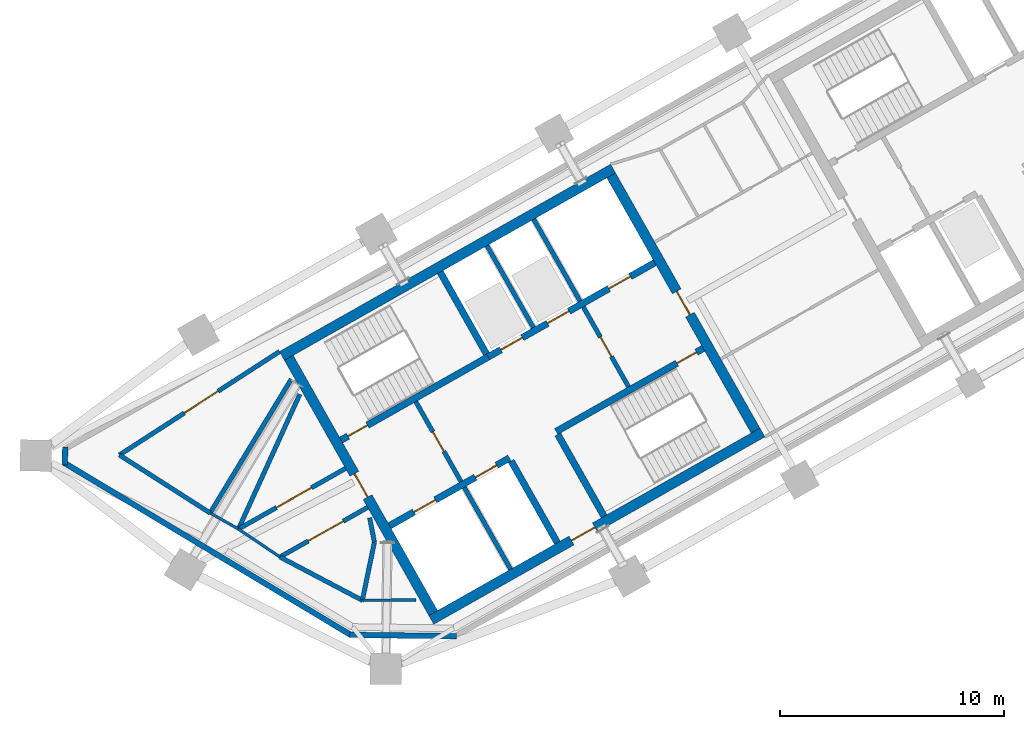
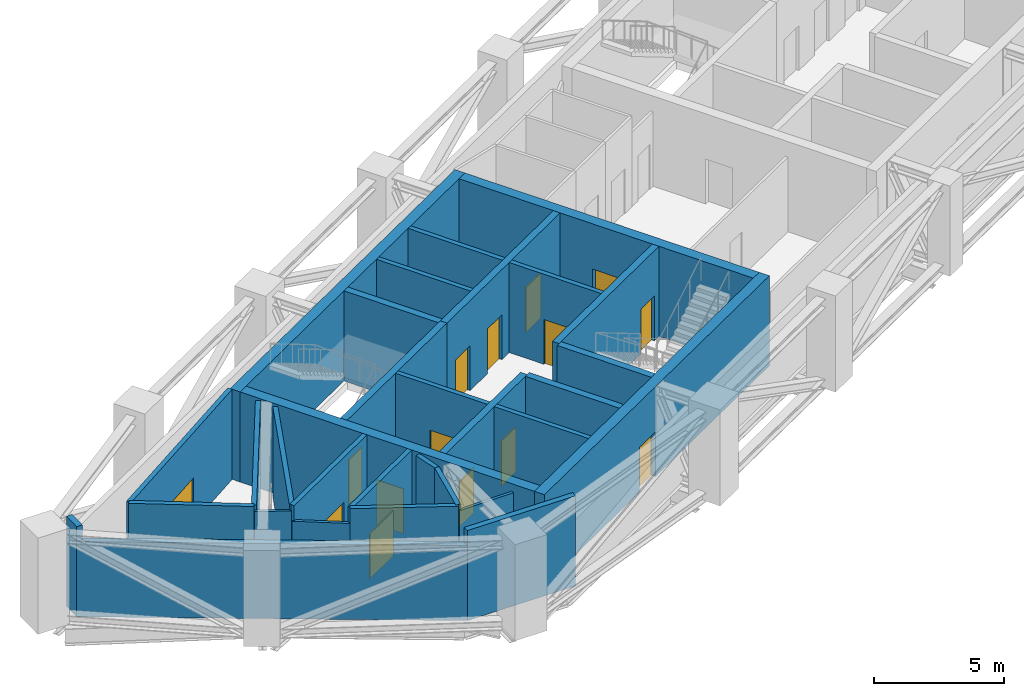
# One storey, part 8 of 13: 31 walls, 15 doors, 15 openings.
"""IFC4 building model written with IfcOpenShell, lengths in metres."""

from ifc_helpers import new_model, si_unit, direction, frame, frame_2d, origin, place, context, subcontext, project, spatial, rectangle, extrude, material, layer, layer_set, type_object, element, fill, save


model = new_model("IFC4")

# Units and contexts
model_context = context("Model", 3, precision=1e-05, world=origin(), true_north=direction((0.0, 1.0)))
body_context = subcontext(model_context, "Body", "Model", "MODEL_VIEW")
ifc_project = project(units=[si_unit("LENGTHUNIT", "METRE"), si_unit("AREAUNIT", "SQUARE_METRE"), si_unit("VOLUMEUNIT", "CUBIC_METRE"), si_unit("PLANEANGLEUNIT", "RADIAN"), si_unit("MASSUNIT", "GRAM", prefix="KILO")], contexts=[model_context])

# Site, building, storey
site_placement = place(None, origin())
site = spatial("IfcSite", under=ifc_project, at=site_placement, CompositionType="ELEMENT")
building_placement = place(site_placement, origin())
building = spatial("IfcBuilding", under=site, at=building_placement, Name="Binnacle Exchange Tower", CompositionType="ELEMENT")
storey_placement = place(building_placement, frame((0.0, 0.0, 258.199951171875)))
storey = spatial("IfcBuildingStorey", under=building, at=storey_placement, Name="L57", CompositionType="ELEMENT", Elevation=258.199951171875)

# Wall, openings, doors
ifc_material_1 = material(Name="Concrete C70/85", Category="concrete")
ifc_layer_1 = layer(ifc_material_1, 0.300048828125)
ifc_layer_set_1 = layer_set([ifc_layer_1], Name="Core wall - front 300")
wall_type_1 = type_object("IfcWallType", Name="Core wall - front 300", PredefinedType="SOLIDWALL", material=ifc_layer_set_1)
wall_1_placement = place(storey_placement, frame((-41.6865234375, 33.88720703125, 0.0), z_axis=(0.0, 0.0, 1.0), x_axis=(0.870355736587, 0.49242348826, 0.0)))
wall_1 = element("IfcWall", 1, at=wall_1_placement, inside=storey, type_object=wall_type_1, Name="Core wall CRWA2", PredefinedType="SOLIDWALL", context=body_context, shape_type="SweptSolid", body=[
    extrude(rectangle(XDim=6.14990234375, YDim=0.300048828125, at=frame_2d((3.074951171875, 0.0))), origin(), (0.0, 0.0, 1.0), 4.219970703125),
])
opening_1_placement = place(wall_1_placement, frame((1.25, 0.0, 0.0)))
opening_1 = element("IfcOpeningElement", 2, at=opening_1_placement, cuts=wall_1, Name="Opening LD12", PredefinedType="OPENING", context=body_context, shape_type="SweptSolid", body=[
    extrude(rectangle(XDim=1.10009765625, YDim=2.10009765625, at=frame_2d((0.550048828125, 1.050048828125))), frame((0.0, 0.159912109375, 0.0), z_axis=(0.0, -1.0, 0.0), x_axis=(1.0, 0.0, 0.0)), (0.0, 0.0, 1.0), 0.320068359375),
])
opening_2_placement = place(wall_1_placement, frame((4.39990234375, 0.0, 0.0)))
opening_2 = element("IfcOpeningElement", 3, at=opening_2_placement, cuts=wall_1, Name="Opening LD8", PredefinedType="OPENING", context=body_context, shape_type="SweptSolid", body=[
    extrude(rectangle(XDim=1.10009765625, YDim=2.10009765625, at=frame_2d((0.550048828125, 1.050048828125))), frame((0.0, 0.159912109375, 0.0), z_axis=(0.0, -1.0, 0.0), x_axis=(1.0, 0.0, 0.0)), (0.0, 0.0, 1.0), 0.320068359375),
])
ifc_material_2 = material(Name="Steel door leaf", Category="steel")
door_type_1 = type_object("IfcDoorType", Name="Fire door - lift landing 1100", OperationType="NOTDEFINED", PredefinedType="DOOR", material=ifc_material_2)
door_1_placement = place(opening_1_placement, origin())
door_1 = element("IfcDoor", 4, at=door_1_placement, inside=storey, type_object=door_type_1, Name="Landing door LD12 L57", OperationType="DOUBLE_DOOR_SLIDING", OverallHeight=2.10009765625, OverallWidth=1.10009765625, PredefinedType="DOOR", context=body_context, shape_type="SweptSolid", body=[
    extrude(rectangle(XDim=1.10009765625, YDim=2.10009765625, at=frame_2d((0.550048828125, 1.050048828125))), frame((0.0, 0.02490234375, 0.0), z_axis=(0.0, -1.0, 0.0), x_axis=(1.0, 0.0, 0.0)), (0.0, 0.0, 1.0), 0.050048828125),
])
fill(opening_1, door_1)
door_2_placement = place(opening_2_placement, origin())
door_2 = element("IfcDoor", 5, at=door_2_placement, inside=storey, type_object=door_type_1, Name="Landing door LD8 L57", OperationType="DOUBLE_DOOR_SLIDING", OverallHeight=2.10009765625, OverallWidth=1.10009765625, PredefinedType="DOOR", context=body_context, shape_type="SweptSolid", body=[
    extrude(rectangle(XDim=1.10009765625, YDim=2.10009765625, at=frame_2d((0.550048828125, 1.050048828125))), frame((0.0, 0.02490234375, 0.0), z_axis=(0.0, -1.0, 0.0), x_axis=(1.0, 0.0, 0.0)), (0.0, 0.0, 1.0), 0.050048828125),
])
fill(opening_2, door_2)

wall_2_placement = place(storey_placement, frame((-37.281982421875, 41.4345703125, 0.0), z_axis=(0.0, 0.0, 1.0), x_axis=(0.870352688754, 0.492428875248, 0.0)))
wall_2 = element("IfcWall", 6, at=wall_2_placement, inside=storey, type_object=wall_type_1, Name="Core wall CRWA5", PredefinedType="SOLIDWALL", context=body_context, shape_type="SweptSolid", body=[
    extrude(rectangle(XDim=8.5498046875, YDim=0.300048828125, at=frame_2d((4.27490234375, 0.0))), origin(), (0.0, 0.0, 1.0), 4.219970703125),
])
opening_3_placement = place(wall_2_placement, frame((0.650146484375, 0.0, 0.0)))
opening_3 = element("IfcOpeningElement", 7, at=opening_3_placement, cuts=wall_2, Name="Opening LD9", PredefinedType="OPENING", context=body_context, shape_type="SweptSolid", body=[
    extrude(rectangle(XDim=1.10009765625, YDim=2.10009765625, at=frame_2d((0.550048828125, 1.050048828125))), frame((0.0, 0.159912109375, 0.0), z_axis=(0.0, -1.0, 0.0), x_axis=(1.0, 0.0, 0.0)), (0.0, 0.0, 1.0), 0.320068359375),
])
opening_4_placement = place(wall_2_placement, frame((3.050048828125, 0.0, 0.0)))
opening_4 = element("IfcOpeningElement", 8, at=opening_4_placement, cuts=wall_2, Name="Opening LD10", PredefinedType="OPENING", context=body_context, shape_type="SweptSolid", body=[
    extrude(rectangle(XDim=1.10009765625, YDim=2.10009765625, at=frame_2d((0.550048828125, 1.050048828125))), frame((0.0, 0.159912109375, 0.0), z_axis=(0.0, -1.0, 0.0), x_axis=(1.0, 0.0, 0.0)), (0.0, 0.0, 1.0), 0.320068359375),
])
opening_5_placement = place(wall_2_placement, frame((6.199951171875, 0.0, 0.0)))
opening_5 = element("IfcOpeningElement", 9, at=opening_5_placement, cuts=wall_2, Name="Opening LD13", PredefinedType="OPENING", context=body_context, shape_type="SweptSolid", body=[
    extrude(rectangle(XDim=1.10009765625, YDim=2.10009765625, at=frame_2d((0.550048828125, 1.050048828125))), frame((0.0, 0.159912109375, 0.0), z_axis=(0.0, -1.0, 0.0), x_axis=(1.0, 0.0, 0.0)), (0.0, 0.0, 1.0), 0.320068359375),
])
door_3_placement = place(opening_3_placement, origin())
door_3 = element("IfcDoor", 10, at=door_3_placement, inside=storey, type_object=door_type_1, Name="Landing door LD9 L57", OperationType="DOUBLE_DOOR_SLIDING", OverallHeight=2.10009765625, OverallWidth=1.10009765625, PredefinedType="DOOR", context=body_context, shape_type="SweptSolid", body=[
    extrude(rectangle(XDim=1.10009765625, YDim=2.10009765625, at=frame_2d((0.550048828125, 1.050048828125))), frame((0.0, 0.02490234375, 0.0), z_axis=(0.0, -1.0, 0.0), x_axis=(1.0, 0.0, 0.0)), (0.0, 0.0, 1.0), 0.050048828125),
])
fill(opening_3, door_3)
door_4_placement = place(opening_4_placement, origin())
door_4 = element("IfcDoor", 11, at=door_4_placement, inside=storey, type_object=door_type_1, Name="Landing door LD10 L57", OperationType="DOUBLE_DOOR_SLIDING", OverallHeight=2.10009765625, OverallWidth=1.10009765625, PredefinedType="DOOR", context=body_context, shape_type="SweptSolid", body=[
    extrude(rectangle(XDim=1.10009765625, YDim=2.10009765625, at=frame_2d((0.550048828125, 1.050048828125))), frame((0.0, 0.02490234375, 0.0), z_axis=(0.0, -1.0, 0.0), x_axis=(1.0, 0.0, 0.0)), (0.0, 0.0, 1.0), 0.050048828125),
])
fill(opening_4, door_4)
door_5_placement = place(opening_5_placement, origin())
door_5 = element("IfcDoor", 12, at=door_5_placement, inside=storey, type_object=door_type_1, Name="Landing door LD13 L57", OperationType="DOUBLE_DOOR_SLIDING", OverallHeight=2.10009765625, OverallWidth=1.10009765625, PredefinedType="DOOR", context=body_context, shape_type="SweptSolid", body=[
    extrude(rectangle(XDim=1.10009765625, YDim=2.10009765625, at=frame_2d((0.550048828125, 1.050048828125))), frame((0.0, 0.02490234375, 0.0), z_axis=(0.0, -1.0, 0.0), x_axis=(1.0, 0.0, 0.0)), (0.0, 0.0, 1.0), 0.050048828125),
])
fill(opening_5, door_5)

# Wall
wall_3_placement = place(storey_placement, frame((-36.260009765625, 36.784912109375, 0.0), z_axis=(0.0, 0.0, 1.0), x_axis=(0.492409653846, -0.870363563575, 0.0)))
element("IfcWall", 13, at=wall_3_placement, inside=storey, type_object=wall_type_1, Name="Core wall CRWA13", PredefinedType="SOLIDWALL", context=body_context, shape_type="SweptSolid", body=[
    extrude(rectangle(XDim=4.199951171875, YDim=0.300048828125, at=frame_2d((2.10009765625, 0.0))), origin(), (0.0, 0.0, 1.0), 4.219970703125),
])

# Wall, opening, door
ifc_layer_2 = layer(ifc_material_1, 0.449951171875)
ifc_layer_set_2 = layer_set([ifc_layer_2], Name="Core wall - outer 450")
wall_type_2 = type_object("IfcWallType", Name="Core wall - outer 450", PredefinedType="SOLIDWALL", material=ifc_layer_set_2)
wall_4_placement = place(storey_placement, frame((-39.825439453125, 29.68359375, 0.0), z_axis=(0.0, 0.0, 1.0), x_axis=(0.870353598469, 0.492427267353, 0.0)))
wall_4 = element("IfcWall", 14, at=wall_4_placement, inside=storey, type_object=wall_type_2, Name="Core wall CRWA1", PredefinedType="SOLIDWALL", context=body_context, shape_type="SweptSolid", body=[
    extrude(rectangle(XDim=17.000244140625, YDim=0.449951171875, at=frame_2d((8.5, 0.0))), origin(), (0.0, 0.0, 1.0), 4.219970703125),
])
opening_6_placement = place(wall_4_placement, frame((7.199951171875, 0.0, 0.0)))
opening_6 = element("IfcOpeningElement", 15, at=opening_6_placement, cuts=wall_4, Name="Opening DA7", PredefinedType="OPENING", context=body_context, shape_type="SweptSolid", body=[
    extrude(rectangle(XDim=1.199951171875, YDim=2.10009765625, at=frame_2d((0.60009765625, 1.050048828125))), frame((0.0, 0.23486328125, 0.0), z_axis=(0.0, -1.0, 0.0), x_axis=(1.0, 0.0, 0.0)), (0.0, 0.0, 1.0), 0.469970703125),
])
door_type_2 = type_object("IfcDoorType", Name="Fire door 1200", OperationType="NOTDEFINED", PredefinedType="DOOR", material=ifc_material_2)
door_6_placement = place(opening_6_placement, frame((1.199951171875, 0.0, 0.0), z_axis=(0.0, 0.0, 1.0), x_axis=(-1.0, 0.0, 0.0)))
door_6 = element("IfcDoor", 16, at=door_6_placement, inside=storey, type_object=door_type_2, Name="Lift lobby entrance door core A", OperationType="SINGLE_SWING_RIGHT", OverallHeight=2.10009765625, OverallWidth=1.199951171875, PredefinedType="DOOR", context=body_context, shape_type="SweptSolid", body=[
    extrude(rectangle(XDim=1.199951171875, YDim=2.10009765625, at=frame_2d((0.60009765625, 1.050048828125))), frame((0.0, 0.02490234375, 0.0), z_axis=(0.0, -1.0, 0.0), x_axis=(1.0, 0.0, 0.0)), (0.0, 0.0, 1.0), 0.050048828125),
])
fill(opening_6, door_6)

# Wall
wall_5_placement = place(storey_placement, frame((-46.497802734375, 41.47705078125, 0.0), z_axis=(0.0, 0.0, 1.0), x_axis=(0.870359753402, 0.492416388494, 0.0)))
element("IfcWall", 17, at=wall_5_placement, inside=storey, type_object=wall_type_2, Name="Core wall CRWA6", PredefinedType="SOLIDWALL", context=body_context, shape_type="SweptSolid", body=[
    extrude(rectangle(XDim=17.0, YDim=0.449951171875, at=frame_2d((8.5, 0.0))), origin(), (0.0, 0.0, 1.0), 4.219970703125),
])

# Wall, opening, door
wall_6_placement = place(storey_placement, frame((-46.191162109375, 41.391845703125, 0.0), z_axis=(0.0, 0.0, 1.0), x_axis=(0.492421378713, -0.870356930107, 0.0)))
wall_6 = element("IfcWall", 18, at=wall_6_placement, inside=storey, type_object=wall_type_2, Name="Core wall CRWA7", PredefinedType="SOLIDWALL", context=body_context, shape_type="SweptSolid", body=[
    extrude(rectangle(XDim=13.099853515625, YDim=0.449951171875, at=frame_2d((6.5498046875, 0.0))), origin(), (0.0, 0.0, 1.0), 4.219970703125),
])
opening_7_placement = place(wall_6_placement, frame((5.949951171875, 0.0, 0.0)))
opening_7 = element("IfcOpeningElement", 19, at=opening_7_placement, cuts=wall_6, Name="Opening DA5", PredefinedType="OPENING", context=body_context, shape_type="SweptSolid", body=[
    extrude(rectangle(XDim=1.199951171875, YDim=2.10009765625, at=frame_2d((0.60009765625, 1.050048828125))), frame((0.0, 0.23486328125, 0.0), z_axis=(0.0, -1.0, 0.0), x_axis=(1.0, 0.0, 0.0)), (0.0, 0.0, 1.0), 0.469970703125),
])
door_7_placement = place(opening_7_placement, frame((1.199951171875, 0.0, 0.0), z_axis=(0.0, 0.0, 1.0), x_axis=(-1.0, 0.0, 0.0)))
door_7 = element("IfcDoor", 20, at=door_7_placement, inside=storey, type_object=door_type_2, Name="Vestibule exit door VEST-W", OperationType="SINGLE_SWING_LEFT", OverallHeight=2.10009765625, OverallWidth=1.199951171875, PredefinedType="DOOR", context=body_context, shape_type="SweptSolid", body=[
    extrude(rectangle(XDim=1.199951171875, YDim=2.10009765625, at=frame_2d((0.60009765625, 1.050048828125))), frame((0.0, 0.02490234375, 0.0), z_axis=(0.0, -1.0, 0.0), x_axis=(1.0, 0.0, 0.0)), (0.0, 0.0, 1.0), 0.050048828125),
])
fill(opening_7, door_7)

wall_7_placement = place(storey_placement, frame((-31.78662109375, 49.54150390625, 0.0), z_axis=(0.0, 0.0, 1.0), x_axis=(0.492421378713, -0.870356930107, 0.0)))
wall_7 = element("IfcWall", 21, at=wall_7_placement, inside=storey, type_object=wall_type_2, Name="Core wall CRWA22", PredefinedType="SOLIDWALL", context=body_context, shape_type="SweptSolid", body=[
    extrude(rectangle(XDim=13.099853515625, YDim=0.449951171875, at=frame_2d((6.5498046875, 0.0))), origin(), (0.0, 0.0, 1.0), 4.219970703125),
])
opening_8_placement = place(wall_7_placement, frame((5.949951171875, 0.0, 0.0)))
opening_8 = element("IfcOpeningElement", 22, at=opening_8_placement, cuts=wall_7, Name="Opening DA6", PredefinedType="OPENING", context=body_context, shape_type="SweptSolid", body=[
    extrude(rectangle(XDim=1.199951171875, YDim=2.10009765625, at=frame_2d((0.60009765625, 1.050048828125))), frame((0.0, 0.23486328125, 0.0), z_axis=(0.0, -1.0, 0.0), x_axis=(1.0, 0.0, 0.0)), (0.0, 0.0, 1.0), 0.469970703125),
])
door_8_placement = place(opening_8_placement, origin())
door_8 = element("IfcDoor", 23, at=door_8_placement, inside=storey, type_object=door_type_2, Name="Vestibule exit door VEST-E", OperationType="SINGLE_SWING_LEFT", OverallHeight=2.10009765625, OverallWidth=1.199951171875, PredefinedType="DOOR", context=body_context, shape_type="SweptSolid", body=[
    extrude(rectangle(XDim=1.199951171875, YDim=2.10009765625, at=frame_2d((0.60009765625, 1.050048828125))), frame((0.0, 0.02490234375, 0.0), z_axis=(0.0, -1.0, 0.0), x_axis=(1.0, 0.0, 0.0)), (0.0, 0.0, 1.0), 0.050048828125),
])
fill(opening_8, door_8)

ifc_layer_3 = layer(ifc_material_1, 0.300048828125)
ifc_layer_set_3 = layer_set([ifc_layer_3], Name="Core wall - stair 300")
wall_type_3 = type_object("IfcWallType", Name="Core wall - stair 300", PredefinedType="SOLIDWALL", material=ifc_layer_set_3)
wall_8_placement = place(storey_placement, frame((-34.2451171875, 38.097412109375, 0.0), z_axis=(0.0, 0.0, 1.0), x_axis=(0.870360409231, 0.492415229297, 0.0)))
wall_8 = element("IfcWall", 24, at=wall_8_placement, inside=storey, type_object=wall_type_3, Name="Core wall CRWA3", PredefinedType="SOLIDWALL", context=body_context, shape_type="SweptSolid", body=[
    extrude(rectangle(XDim=7.550048828125, YDim=0.300048828125, at=frame_2d((3.77490234375, 0.0))), origin(), (0.0, 0.0, 1.0), 4.219970703125),
])
opening_9_placement = place(wall_8_placement, frame((6.199951171875, 0.0, 0.0)))
opening_9 = element("IfcOpeningElement", 25, at=opening_9_placement, cuts=wall_8, Name="Opening DA2", PredefinedType="OPENING", context=body_context, shape_type="SweptSolid", body=[
    extrude(rectangle(XDim=1.0, YDim=2.10009765625, at=frame_2d((0.5, 1.050048828125))), frame((0.0, 0.159912109375, 0.0), z_axis=(0.0, -1.0, 0.0), x_axis=(1.0, 0.0, 0.0)), (0.0, 0.0, 1.0), 0.320068359375),
])
door_type_3 = type_object("IfcDoorType", Name="Fire door 1000", OperationType="NOTDEFINED", PredefinedType="DOOR", material=ifc_material_2)
door_9_placement = place(opening_9_placement, frame((1.0, 0.0, 0.0), z_axis=(0.0, 0.0, 1.0), x_axis=(-1.0, 0.0, 0.0)))
door_9 = element("IfcDoor", 26, at=door_9_placement, inside=storey, type_object=door_type_3, Name="Stair door ST-A2", OperationType="SINGLE_SWING_LEFT", OverallHeight=2.10009765625, OverallWidth=1.0, PredefinedType="DOOR", context=body_context, shape_type="SweptSolid", body=[
    extrude(rectangle(XDim=1.0, YDim=2.10009765625, at=frame_2d((0.5, 1.050048828125))), frame((0.0, 0.02490234375, 0.0), z_axis=(0.0, -1.0, 0.0), x_axis=(1.0, 0.0, 0.0)), (0.0, 0.0, 1.0), 0.050048828125),
])
fill(opening_9, door_9)

wall_9_placement = place(storey_placement, frame((-43.853271484375, 37.716796875, 0.0), z_axis=(0.0, 0.0, 1.0), x_axis=(0.870360409231, 0.492415229297, 0.0)))
wall_9 = element("IfcWall", 27, at=wall_9_placement, inside=storey, type_object=wall_type_3, Name="Core wall CRWA4", PredefinedType="SOLIDWALL", context=body_context, shape_type="SweptSolid", body=[
    extrude(rectangle(XDim=7.550048828125, YDim=0.300048828125, at=frame_2d((3.77490234375, 0.0))), origin(), (0.0, 0.0, 1.0), 4.219970703125),
])
opening_10_placement = place(wall_9_placement, frame((0.35009765625, 0.0, 0.0)))
opening_10 = element("IfcOpeningElement", 28, at=opening_10_placement, cuts=wall_9, Name="Opening DA1", PredefinedType="OPENING", context=body_context, shape_type="SweptSolid", body=[
    extrude(rectangle(XDim=1.0, YDim=2.10009765625, at=frame_2d((0.5, 1.050048828125))), frame((0.0, 0.159912109375, 0.0), z_axis=(0.0, -1.0, 0.0), x_axis=(1.0, 0.0, 0.0)), (0.0, 0.0, 1.0), 0.320068359375),
])
door_10_placement = place(opening_10_placement, origin())
door_10 = element("IfcDoor", 29, at=door_10_placement, inside=storey, type_object=door_type_3, Name="Stair door ST-A1", OperationType="SINGLE_SWING_LEFT", OverallHeight=2.10009765625, OverallWidth=1.0, PredefinedType="DOOR", context=body_context, shape_type="SweptSolid", body=[
    extrude(rectangle(XDim=1.0, YDim=2.10009765625, at=frame_2d((0.5, 1.050048828125))), frame((0.0, 0.02490234375, 0.0), z_axis=(0.0, -1.0, 0.0), x_axis=(1.0, 0.0, 0.0)), (0.0, 0.0, 1.0), 0.050048828125),
])
fill(opening_10, door_10)

# Walls
for number, where, z_axis, x_axis, name in (
    (30, (-39.424072265625, 45.220458984375, 0.0), (0.0, 0.0, 1.0), (0.492409653846, -0.870363563575, 0.0), "Core wall CRWA14"),
    (31, (-34.171142578125, 37.966796875, 0.0), (0.0, 0.0, 1.0), (0.492409653846, -0.870363563575, 0.0), "Core wall CRWA16"),
):
    element("IfcWall", number, at=place(storey_placement, frame(where, z_axis=z_axis, x_axis=x_axis)), inside=storey, type_object=wall_type_3, Name=name, PredefinedType="SOLIDWALL", context=body_context, shape_type="SweptSolid", body=[
        extrude(rectangle(XDim=4.199951171875, YDim=0.300048828125, at=frame_2d((2.10009765625, 0.0))), origin(), (0.0, 0.0, 1.0), 4.219970703125),
    ])
ifc_material_3 = material(Name="Bronze aluminium louvre", Category="aluminium")
ifc_layer_4 = layer(ifc_material_3, 0.25)
ifc_layer_set_4 = layer_set([ifc_layer_4], Name="External wall - plant floor louvre 250")
wall_type_4 = type_object("IfcWallType", Name="External wall - plant floor louvre 250", PredefinedType="STANDARD", material=ifc_layer_set_4)
wall_10_placement = place(storey_placement, frame((-56.1982421875, 36.611572265625, 0.0), z_axis=(0.0, 0.0, 1.0), x_axis=(0.01315675587, 0.999913446142, 0.0)))
element("IfcWall", 32, at=wall_10_placement, inside=storey, type_object=wall_type_4, Name="External wall EW-Gm07 L57", PredefinedType="STANDARD", context=body_context, shape_type="SweptSolid", body=[
    extrude(rectangle(XDim=0.7978515625, YDim=0.25, at=frame_2d((0.39892578125, 0.0))), origin(), (0.0, 0.0, 1.0), 4.219970703125),
])
wall_11_placement = place(storey_placement, frame((-43.40673828125, 28.998046875, 0.0), z_axis=(0.0, 0.0, 1.0), x_axis=(-0.857168059559, 0.515036811958, 0.0)))
element("IfcWall", 33, at=wall_11_placement, inside=storey, type_object=wall_type_4, Name="External wall EW-Gm08 L57", PredefinedType="STANDARD", context=body_context, shape_type="SweptSolid", body=[
    extrude(rectangle(XDim=14.993896484375, YDim=0.25, at=frame_2d((7.4970703125, 0.0))), origin(), (0.0, 0.0, 1.0), 3.52001953125),
])
wall_12_placement = place(storey_placement, frame((-38.70703125, 28.953369140625, 0.0), z_axis=(0.0, 0.0, 1.0), x_axis=(-0.999913898072, 0.013122364172, 0.0)))
element("IfcWall", 34, at=wall_12_placement, inside=storey, type_object=wall_type_4, Name="External wall EW-Gm09 L57", PredefinedType="STANDARD", context=body_context, shape_type="SweptSolid", body=[
    extrude(rectangle(XDim=4.762939453125, YDim=0.25, at=frame_2d((2.38134765625, 0.0))), origin(), (0.0, 0.0, 1.0), 4.219970703125),
])
ifc_material_4 = material(Name="Masonry block wall", Category="masonry")
ifc_layer_5 = layer(ifc_material_4, 0.199951171875)
ifc_layer_set_5 = layer_set([ifc_layer_5], Name="Fire wall - block 200")
wall_type_5 = type_object("IfcWallType", Name="Fire wall - block 200", PredefinedType="PARTITIONING", material=ifc_layer_set_5)
wall_13_placement = place(storey_placement, frame((-53.760009765625, 37.052001953125, 0.0), z_axis=(0.0, 0.0, 1.0), x_axis=(0.842421660073, -0.538818843992, 0.0)))
element("IfcWall", 35, at=wall_13_placement, inside=storey, type_object=wall_type_5, Name="Partition W01", PredefinedType="PARTITIONING", context=body_context, shape_type="SweptSolid", body=[
    extrude(rectangle(XDim=4.808837890625, YDim=0.199951171875, at=frame_2d((2.404296875, 0.0))), origin(), (0.0, 0.0, 1.0), 4.219970703125),
])

# Wall, opening, door
wall_14_placement = place(storey_placement, frame((-53.760009765625, 37.052001953125, 0.0), z_axis=(0.0, 0.0, 1.0), x_axis=(0.83989696129, 0.542745883831, 0.0)))
wall_14 = element("IfcWall", 36, at=wall_14_placement, inside=storey, type_object=wall_type_5, Name="Partition W02", PredefinedType="PARTITIONING", context=body_context, shape_type="SweptSolid", body=[
    extrude(rectangle(XDim=8.514404296875, YDim=0.199951171875, at=frame_2d((4.25732421875, 0.0))), origin(), (0.0, 0.0, 1.0), 4.219970703125),
])
opening_11_placement = place(wall_14_placement, frame((3.449951171875, 0.0, 0.0)))
opening_11 = element("IfcOpeningElement", 37, at=opening_11_placement, cuts=wall_14, Name="Opening DL57-16", PredefinedType="OPENING", context=body_context, shape_type="SweptSolid", body=[
    extrude(rectangle(XDim=1.800048828125, YDim=2.10009765625, at=frame_2d((0.89990234375, 1.050048828125))), frame((0.0, 0.10986328125, 0.0), z_axis=(0.0, -1.0, 0.0), x_axis=(1.0, 0.0, 0.0)), (0.0, 0.0, 1.0), 0.219970703125),
])
door_type_4 = type_object("IfcDoorType", Name="Fire door 1800", OperationType="NOTDEFINED", PredefinedType="DOOR", material=ifc_material_2)
door_11_placement = place(opening_11_placement, frame((1.800048828125, 0.0, 0.0), z_axis=(0.0, 0.0, 1.0), x_axis=(-1.0, 0.0, 0.0)))
door_11 = element("IfcDoor", 38, at=door_11_placement, inside=storey, type_object=door_type_4, Name="Door DL57-16", OperationType="DOUBLE_DOOR_SINGLE_SWING", OverallHeight=2.10009765625, OverallWidth=1.800048828125, PredefinedType="DOOR", context=body_context, shape_type="SweptSolid", body=[
    extrude(rectangle(XDim=1.800048828125, YDim=2.10009765625, at=frame_2d((0.89990234375, 1.050048828125))), frame((0.0, 0.02490234375, 0.0), z_axis=(0.0, -1.0, 0.0), x_axis=(1.0, 0.0, 0.0)), (0.0, 0.0, 1.0), 0.050048828125),
])
fill(opening_11, door_11)

# Wall
wall_15_placement = place(storey_placement, frame((-49.698974609375, 34.47802734375, 0.0), z_axis=(0.0, 0.0, 1.0), x_axis=(0.51880997965, 0.854889586447, 0.0)))
element("IfcWall", 39, at=wall_15_placement, inside=storey, type_object=wall_type_5, Name="Partition W04", PredefinedType="PARTITIONING", context=body_context, shape_type="SweptSolid", body=[
    extrude(rectangle(XDim=6.9716796875, YDim=0.199951171875, at=frame_2d((3.48583984375, 0.0))), origin(), (0.0, 0.0, 1.0), 4.219970703125),
])

# Wall, opening, door
wall_16_placement = place(storey_placement, frame((-48.44091796875, 33.741943359375, 0.0), z_axis=(0.0, 0.0, 1.0), x_axis=(0.870300652468, 0.492520836425, 0.0)))
wall_16 = element("IfcWall", 40, at=wall_16_placement, inside=storey, type_object=wall_type_5, Name="Partition W06", PredefinedType="PARTITIONING", context=body_context, shape_type="SweptSolid", body=[
    extrude(rectangle(XDim=5.500244140625, YDim=0.199951171875, at=frame_2d((2.75, 0.0))), origin(), (0.0, 0.0, 1.0), 4.219970703125),
])
opening_12_placement = place(wall_16_placement, frame((1.949951171875, 0.0, 0.0)))
opening_12 = element("IfcOpeningElement", 41, at=opening_12_placement, cuts=wall_16, Name="Opening DL57-01", PredefinedType="OPENING", context=body_context, shape_type="SweptSolid", body=[
    extrude(rectangle(XDim=1.800048828125, YDim=2.10009765625, at=frame_2d((0.89990234375, 1.050048828125))), frame((0.0, 0.10986328125, 0.0), z_axis=(0.0, -1.0, 0.0), x_axis=(1.0, 0.0, 0.0)), (0.0, 0.0, 1.0), 0.219970703125),
])
door_12_placement = place(opening_12_placement, origin())
door_12 = element("IfcDoor", 42, at=door_12_placement, inside=storey, type_object=door_type_4, Name="Door DL57-01", OperationType="DOUBLE_DOOR_SINGLE_SWING", OverallHeight=2.10009765625, OverallWidth=1.800048828125, PredefinedType="DOOR", context=body_context, shape_type="SweptSolid", body=[
    extrude(rectangle(XDim=1.800048828125, YDim=2.10009765625, at=frame_2d((0.89990234375, 1.050048828125))), frame((0.0, 0.02490234375, 0.0), z_axis=(0.0, -1.0, 0.0), x_axis=(1.0, 0.0, 0.0)), (0.0, 0.0, 1.0), 0.050048828125),
])
fill(opening_12, door_12)

# Walls
wall_17_placement = place(storey_placement, frame((-48.429931640625, 33.76708984375, 0.0), z_axis=(0.0, 0.0, 1.0), x_axis=(0.414258021322, 0.910159486997, 0.0)))
element("IfcWall", 43, at=wall_17_placement, inside=storey, type_object=wall_type_5, Name="Partition W07", PredefinedType="PARTITIONING", context=body_context, shape_type="SweptSolid", body=[
    extrude(rectangle(XDim=6.587646484375, YDim=0.199951171875, at=frame_2d((3.2939453125, 0.0))), origin(), (0.0, 0.0, 1.0), 4.219970703125),
])
wall_18_placement = place(storey_placement, frame((-46.5859375, 32.493896484375, 0.0), z_axis=(0.0, 0.0, 1.0), x_axis=(0.884902948151, -0.465775452717, 0.0)))
element("IfcWall", 44, at=wall_18_placement, inside=storey, type_object=wall_type_5, Name="Partition W08", PredefinedType="PARTITIONING", context=body_context, shape_type="SweptSolid", body=[
    extrude(rectangle(XDim=4.160888671875, YDim=0.199951171875, at=frame_2d((2.08056640625, 0.0))), origin(), (0.0, 0.0, 1.0), 4.219970703125),
])

# Wall, opening, door
wall_19_placement = place(storey_placement, frame((-46.5859375, 32.493896484375, 0.0), z_axis=(0.0, 0.0, 1.0), x_axis=(0.87036170491, 0.492412939134, 0.0)))
wall_19 = element("IfcWall", 45, at=wall_19_placement, inside=storey, type_object=wall_type_5, Name="Partition W09", PredefinedType="PARTITIONING", context=body_context, shape_type="SweptSolid", body=[
    extrude(rectangle(XDim=4.50048828125, YDim=0.199951171875, at=frame_2d((2.250244140625, 0.0))), origin(), (0.0, 0.0, 1.0), 4.219970703125),
])
opening_13_placement = place(wall_19_placement, frame((1.449951171875, 0.0, 0.0)))
opening_13 = element("IfcOpeningElement", 46, at=opening_13_placement, cuts=wall_19, Name="Opening DL57-02", PredefinedType="OPENING", context=body_context, shape_type="SweptSolid", body=[
    extrude(rectangle(XDim=1.800048828125, YDim=2.10009765625, at=frame_2d((0.89990234375, 1.050048828125))), frame((0.0, 0.10986328125, 0.0), z_axis=(0.0, -1.0, 0.0), x_axis=(1.0, 0.0, 0.0)), (0.0, 0.0, 1.0), 0.219970703125),
])
door_13_placement = place(opening_13_placement, frame((1.800048828125, 0.0, 0.0), z_axis=(0.0, 0.0, 1.0), x_axis=(-1.0, 0.0, 0.0)))
door_13 = element("IfcDoor", 47, at=door_13_placement, inside=storey, type_object=door_type_4, Name="Door DL57-02", OperationType="DOUBLE_DOOR_SINGLE_SWING", OverallHeight=2.10009765625, OverallWidth=1.800048828125, PredefinedType="DOOR", context=body_context, shape_type="SweptSolid", body=[
    extrude(rectangle(XDim=1.800048828125, YDim=2.10009765625, at=frame_2d((0.89990234375, 1.050048828125))), frame((0.0, 0.02490234375, 0.0), z_axis=(0.0, -1.0, 0.0), x_axis=(1.0, 0.0, 0.0)), (0.0, 0.0, 1.0), 0.050048828125),
])
fill(opening_13, door_13)

# Walls
wall_20_placement = place(storey_placement, frame((-42.89990234375, 30.575927734375, 0.0), z_axis=(0.0, 0.0, 1.0), x_axis=(0.202504561786, 0.979281319364, 0.0)))
element("IfcWall", 48, at=wall_20_placement, inside=storey, type_object=wall_type_5, Name="Partition W10", PredefinedType="PARTITIONING", context=body_context, shape_type="SweptSolid", body=[
    extrude(rectangle(XDim=2.63671875, YDim=0.199951171875, at=frame_2d((1.318359375, 0.0))), origin(), (0.0, 0.0, 1.0), 4.219970703125),
])
wall_21_placement = place(storey_placement, frame((-42.577880859375, 34.243896484375, 0.0), z_axis=(0.0, 0.0, 1.0), x_axis=(0.19153109743, -0.981486545357, 0.0)))
element("IfcWall", 49, at=wall_21_placement, inside=storey, type_object=wall_type_5, Name="Partition W12", PredefinedType="PARTITIONING", context=body_context, shape_type="SweptSolid", body=[
    extrude(rectangle(XDim=1.1064453125, YDim=0.199951171875, at=frame_2d((0.55322265625, 0.0))), origin(), (0.0, 0.0, 1.0), 4.219970703125),
])

# Wall, opening, door
ifc_layer_6 = layer(ifc_material_4, 0.199951171875)
ifc_layer_set_6 = layer_set([ifc_layer_6], Name="Fire wall - vestibule 200")
wall_type_6 = type_object("IfcWallType", Name="Fire wall - vestibule 200", PredefinedType="PARTITIONING", material=ifc_layer_set_6)
wall_22_placement = place(storey_placement, frame((-40.515625, 39.4326171875, 0.0), z_axis=(0.0, 0.0, 1.0), x_axis=(0.492453559952, -0.87033872216, 0.0)))
wall_22 = element("IfcWall", 50, at=wall_22_placement, inside=storey, type_object=wall_type_6, Name="Core wall CRWA10", PredefinedType="PARTITIONING", context=body_context, shape_type="SweptSolid", body=[
    extrude(rectangle(XDim=4.099853515625, YDim=0.199951171875, at=frame_2d((2.0498046875, 0.0))), origin(), (0.0, 0.0, 1.0), 4.219970703125),
])
opening_14_placement = place(wall_22_placement, frame((1.550048828125, 0.0, 0.0)))
opening_14 = element("IfcOpeningElement", 51, at=opening_14_placement, cuts=wall_22, Name="Opening DA3", PredefinedType="OPENING", context=body_context, shape_type="SweptSolid", body=[
    extrude(rectangle(XDim=1.0, YDim=2.10009765625, at=frame_2d((0.5, 1.050048828125))), frame((0.0, 0.10986328125, 0.0), z_axis=(0.0, -1.0, 0.0), x_axis=(1.0, 0.0, 0.0)), (0.0, 0.0, 1.0), 0.219970703125),
])
door_14_placement = place(opening_14_placement, frame((1.0, 0.0, 0.0), z_axis=(0.0, 0.0, 1.0), x_axis=(-1.0, 0.0, 0.0)))
door_14 = element("IfcDoor", 52, at=door_14_placement, inside=storey, type_object=door_type_3, Name="Vestibule door VEST-W", OperationType="SINGLE_SWING_LEFT", OverallHeight=2.10009765625, OverallWidth=1.0, PredefinedType="DOOR", context=body_context, shape_type="SweptSolid", body=[
    extrude(rectangle(XDim=1.0, YDim=2.10009765625, at=frame_2d((0.5, 1.050048828125))), frame((0.0, 0.02490234375, 0.0), z_axis=(0.0, -1.0, 0.0), x_axis=(1.0, 0.0, 0.0)), (0.0, 0.0, 1.0), 0.050048828125),
])
fill(opening_14, door_14)

wall_23_placement = place(storey_placement, frame((-33.030517578125, 43.66748046875, 0.0), z_axis=(0.0, 0.0, 1.0), x_axis=(0.492408451753, -0.87036424366, 0.0)))
wall_23 = element("IfcWall", 53, at=wall_23_placement, inside=storey, type_object=wall_type_6, Name="Core wall CRWA19", PredefinedType="PARTITIONING", context=body_context, shape_type="SweptSolid", body=[
    extrude(rectangle(XDim=4.099853515625, YDim=0.199951171875, at=frame_2d((2.0498046875, 0.0))), origin(), (0.0, 0.0, 1.0), 4.219970703125),
])
opening_15_placement = place(wall_23_placement, frame((1.550048828125, 0.0, 0.0)))
opening_15 = element("IfcOpeningElement", 54, at=opening_15_placement, cuts=wall_23, Name="Opening DA4", PredefinedType="OPENING", context=body_context, shape_type="SweptSolid", body=[
    extrude(rectangle(XDim=1.0, YDim=2.10009765625, at=frame_2d((0.5, 1.050048828125))), frame((0.0, 0.10986328125, 0.0), z_axis=(0.0, -1.0, 0.0), x_axis=(1.0, 0.0, 0.0)), (0.0, 0.0, 1.0), 0.219970703125),
])
door_15_placement = place(opening_15_placement, origin())
door_15 = element("IfcDoor", 55, at=door_15_placement, inside=storey, type_object=door_type_3, Name="Vestibule door VEST-E", OperationType="SINGLE_SWING_RIGHT", OverallHeight=2.10009765625, OverallWidth=1.0, PredefinedType="DOOR", context=body_context, shape_type="SweptSolid", body=[
    extrude(rectangle(XDim=1.0, YDim=2.10009765625, at=frame_2d((0.5, 1.050048828125))), frame((0.0, 0.02490234375, 0.0), z_axis=(0.0, -1.0, 0.0), x_axis=(1.0, 0.0, 0.0)), (0.0, 0.0, 1.0), 0.050048828125),
])
fill(opening_15, door_15)

# Walls
ifc_material_5 = material(Name="Gypsum partition")
ifc_layer_7 = layer(ifc_material_5, 0.125)
ifc_layer_set_7 = layer_set([ifc_layer_7], Name="Partition 125")
wall_type_7 = type_object("IfcWallType", Name="Partition 125", PredefinedType="PARTITIONING", material=ifc_layer_set_7)
wall_24_placement = place(storey_placement, frame((-49.700927734375, 34.4560546875, 0.0), z_axis=(0.0, 0.0, 1.0), x_axis=(0.869993053358, -0.493063978718, 0.0)))
element("IfcWall", 56, at=wall_24_placement, inside=storey, type_object=wall_type_7, Name="Partition W03", PredefinedType="PARTITIONING", context=body_context, shape_type="SweptSolid", body=[
    extrude(rectangle(XDim=1.43798828125, YDim=0.125, at=frame_2d((0.718994140625, 0.0))), origin(), (0.0, 0.0, 1.0), 3.970947265625),
])
wall_25_placement = place(storey_placement, frame((-48.44091796875, 33.741943359375, 0.0), z_axis=(0.0, 0.0, 1.0), x_axis=(0.829690845398, -0.558223164211, 0.0)))
element("IfcWall", 57, at=wall_25_placement, inside=storey, type_object=wall_type_7, Name="Partition W05", PredefinedType="PARTITIONING", context=body_context, shape_type="SweptSolid", body=[
    extrude(rectangle(XDim=2.23583984375, YDim=0.125, at=frame_2d((1.117919921875, 0.0))), origin(), (0.0, 0.0, 1.0), 3.5),
])
wall_26_placement = place(storey_placement, frame((-42.89404296875, 30.555908203125, 0.0), z_axis=(0.0, 0.0, 1.0), x_axis=(0.999971480626, 0.007552346353, 0.0)))
element("IfcWall", 58, at=wall_26_placement, inside=storey, type_object=wall_type_7, Name="Partition W11", PredefinedType="PARTITIONING", context=body_context, shape_type="SweptSolid", body=[
    extrude(rectangle(XDim=2.39208984375, YDim=0.125, at=frame_2d((1.196044921875, 0.0))), origin(), (0.0, 0.0, 1.0), 3.970947265625),
])
ifc_layer_8 = layer(ifc_material_4, 0.199951171875)
ifc_layer_set_8 = layer_set([ifc_layer_8], Name="Shaft wall 200")
wall_type_8 = type_object("IfcWallType", Name="Shaft wall 200", PredefinedType="SOLIDWALL", material=ifc_layer_set_8)
for number, where, z_axis, x_axis, name in (
    (59, (-38.348876953125, 35.603271484375, 0.0), (0.0, 0.0, 1.0), (0.492409653846, -0.870363563575, 0.0), "Core wall CRWA9"),
    (60, (-37.335205078125, 46.40234375, 0.0), (0.0, 0.0, 1.0), (0.492409653846, -0.870363563575, 0.0), "Core wall CRWA17"),
    (61, (-35.246337890625, 47.584228515625, 0.0), (0.0, 0.0, 1.0), (0.492409653846, -0.870363563575, 0.0), "Core wall CRWA21"),
):
    element("IfcWall", number, at=place(storey_placement, frame(where, z_axis=z_axis, x_axis=x_axis)), inside=storey, type_object=wall_type_8, Name=name, PredefinedType="SOLIDWALL", context=body_context, shape_type="SweptSolid", body=[
        extrude(rectangle(XDim=4.199951171875, YDim=0.199951171875, at=frame_2d((2.10009765625, 0.0))), origin(), (0.0, 0.0, 1.0), 4.219970703125),
    ])

save(model, "model.ifc")
